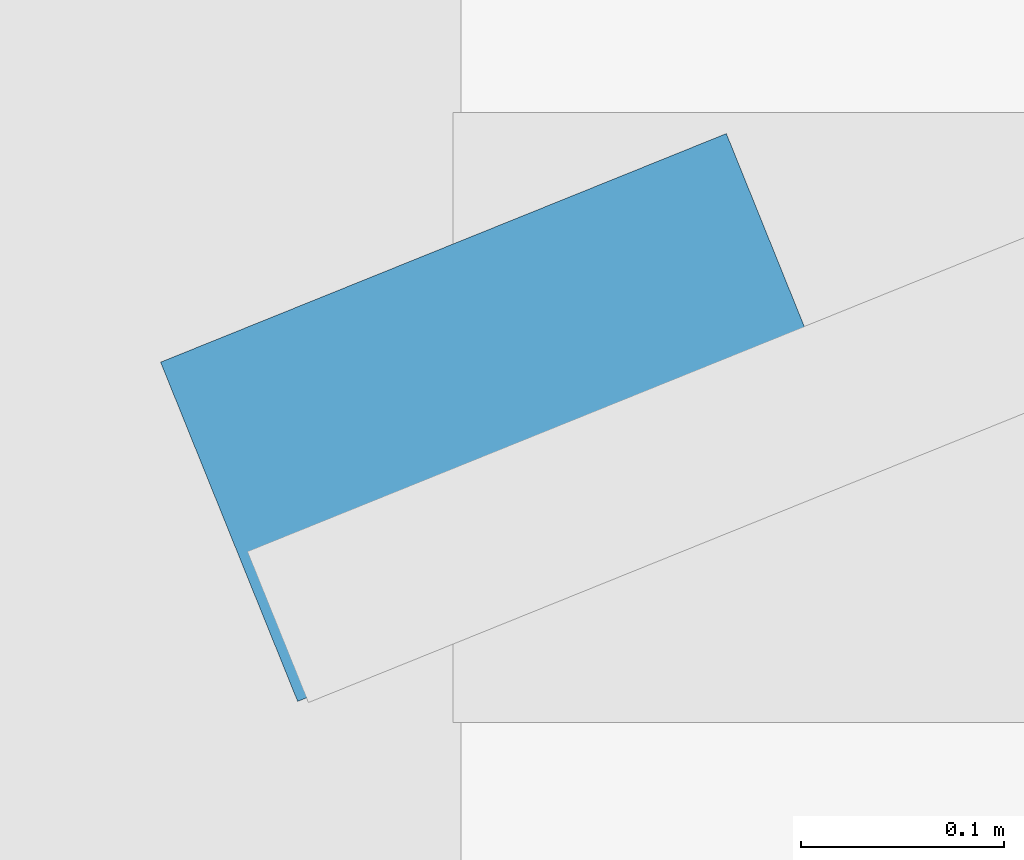
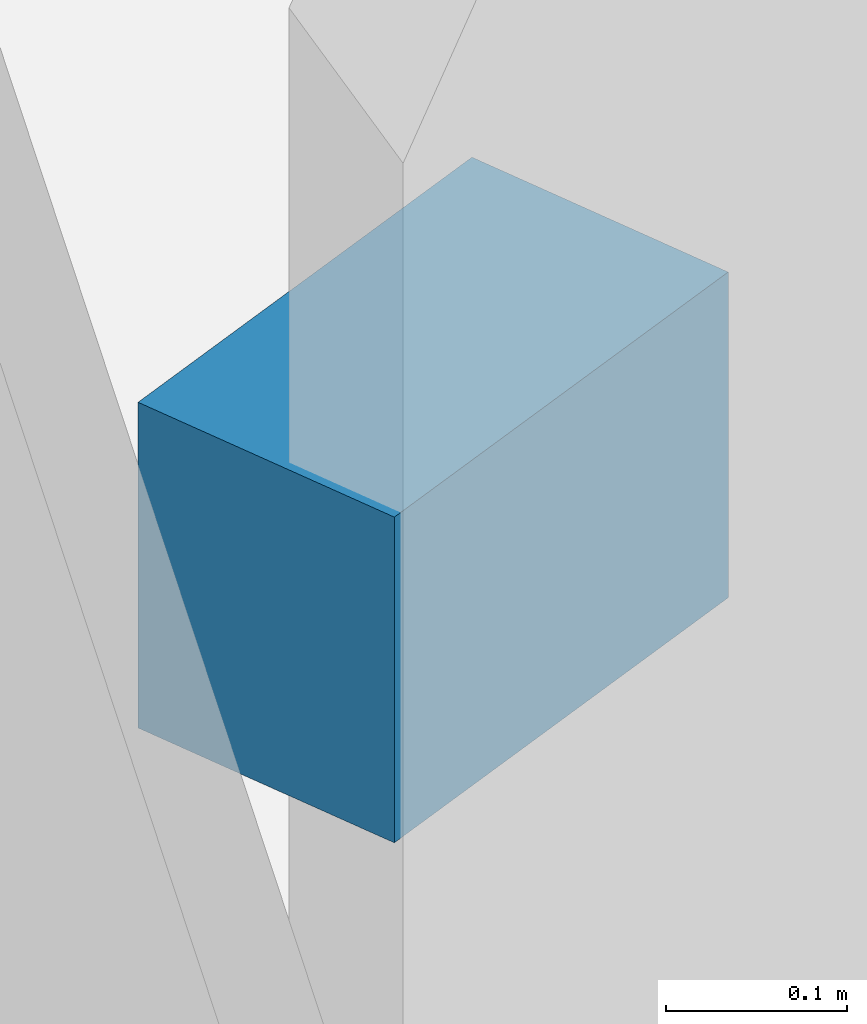
# One storey, part 81 of 99: 1 discrete accessory.
"""IFC4 building model written with IfcOpenShell, lengths in metres."""

from ifc_helpers import new_model, si_unit, direction, frame, origin, origin_2d, place, context, subcontext, project, spatial, rectangle, extrude, material, type_object, element, save


model = new_model("IFC4")

# Units and contexts
model_context = context("Model", 3, precision=1e-05, world=origin(), true_north=direction((0.0, 1.0)))
body_context = subcontext(model_context, "Body", "Model", "MODEL_VIEW")
ifc_project = project(units=[si_unit("LENGTHUNIT", "METRE"), si_unit("AREAUNIT", "SQUARE_METRE"), si_unit("VOLUMEUNIT", "CUBIC_METRE"), si_unit("PLANEANGLEUNIT", "RADIAN"), si_unit("MASSUNIT", "GRAM", prefix="KILO")], contexts=[model_context])

# Site, building, storey
site_placement = place(None, origin())
site = spatial("IfcSite", under=ifc_project, at=site_placement, CompositionType="ELEMENT")
building_placement = place(site_placement, origin())
building = spatial("IfcBuilding", under=site, at=building_placement, Name="Vaudrelin Polytechnic", CompositionType="ELEMENT")
storey_placement = place(building_placement, origin())
storey = spatial("IfcBuildingStorey", under=building, at=storey_placement, Name="L00", CompositionType="ELEMENT", Elevation=0.0)

# Discrete accessory
ifc_material = material(Name="Galvanised steel CSA G40.21 350W", Category="steel")
discrete_accessory_type = type_object("IfcDiscreteAccessoryType", Name="ENV-BRK-01", PredefinedType="BRACKET", material=ifc_material)
discrete_accessory_placement = place(storey_placement, frame((0.300048828125, 109.35009765625, 0.990234375), z_axis=(0.0, 0.0, 1.0), x_axis=(0.927183854567, 0.374606593416, 0.0)))
element("IfcDiscreteAccessory", 1, at=discrete_accessory_placement, inside=storey, type_object=discrete_accessory_type, Name="Solar fin support bracket BRK-002", PredefinedType="BRACKET", context=body_context, shape_type="SweptSolid", body=[
    extrude(rectangle(XDim=0.300048828125, YDim=0.179931640625, at=origin_2d()), origin(), (0.0, 0.0, 1.0), 0.219970703125),
])

save(model, "model.ifc")
